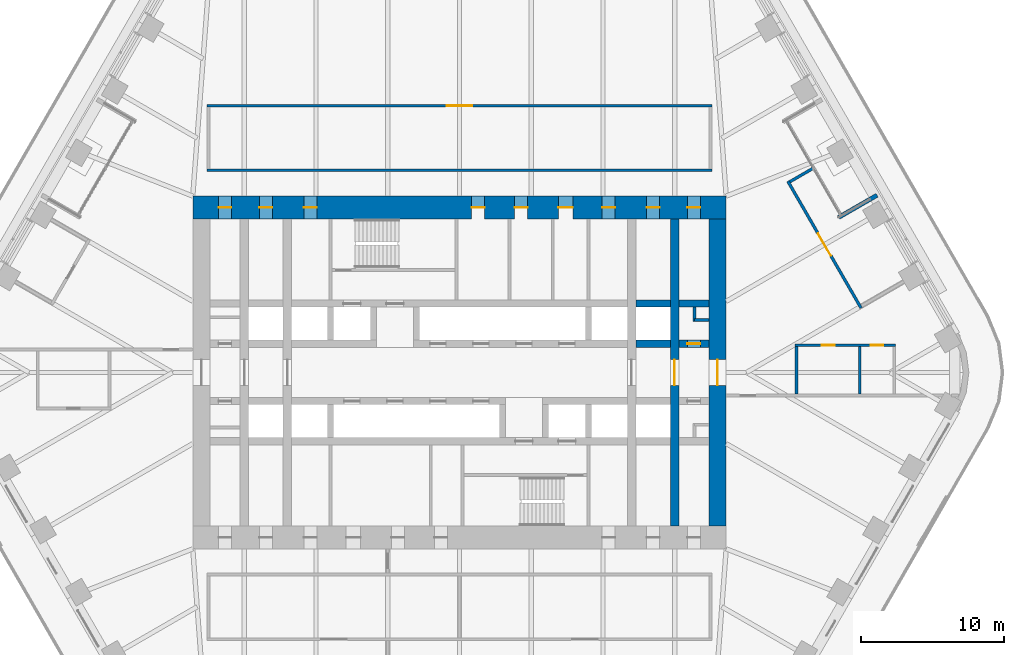
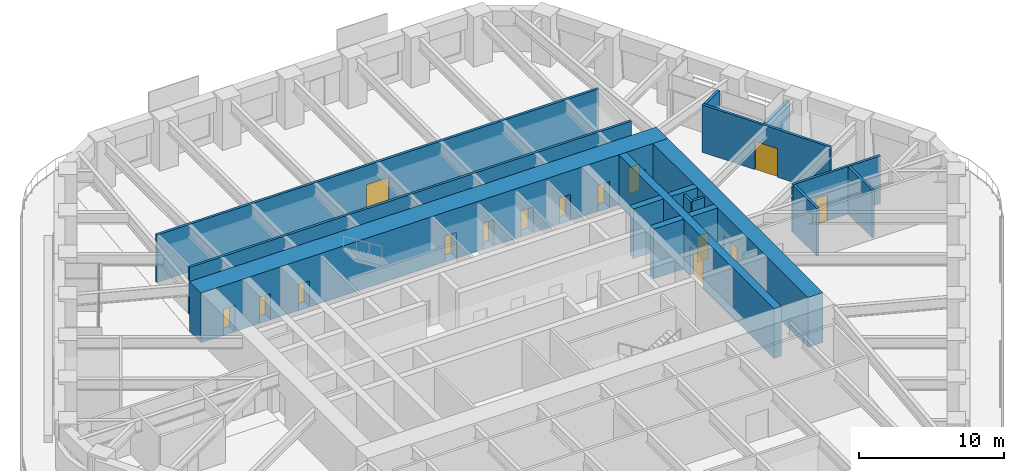
# One storey, part 20 of 24: 17 walls, 16 doors, 16 openings.
"""IFC4 building model written with IfcOpenShell, lengths in metres."""

from ifc_helpers import new_model, si_unit, direction, frame, frame_2d, origin, place, context, subcontext, project, spatial, rectangle, extrude, material, layer, layer_set, type_object, element, fill, save


model = new_model("IFC4")

# Units and contexts
model_context = context("Model", 3, precision=1e-05, world=origin(), true_north=direction((0.0, 1.0)))
body_context = subcontext(model_context, "Body", "Model", "MODEL_VIEW")
ifc_project = project(units=[si_unit("LENGTHUNIT", "METRE"), si_unit("AREAUNIT", "SQUARE_METRE"), si_unit("VOLUMEUNIT", "CUBIC_METRE"), si_unit("PLANEANGLEUNIT", "RADIAN"), si_unit("MASSUNIT", "GRAM", prefix="KILO")], contexts=[model_context])

# Site, building, storey
site_placement = place(None, origin())
site = spatial("IfcSite", under=ifc_project, at=site_placement, CompositionType="ELEMENT")
building_placement = place(site_placement, origin())
building = spatial("IfcBuilding", under=site, at=building_placement, Name="Tarfa Lantern Tower", CompositionType="ELEMENT")
storey_placement = place(building_placement, frame((0.0, 0.0, 182.5)))
storey = spatial("IfcBuildingStorey", under=building, at=storey_placement, Name="L41", CompositionType="ELEMENT", Elevation=182.5)

# Walls
ifc_material_1 = material(Name="Limestone cladding on blockwork", Category="masonry")
ifc_layer_1 = layer(ifc_material_1, 0.300048828125)
ifc_layer_set_1 = layer_set([ifc_layer_1], Name="EW1 STONE-CLAD WALL 300")
wall_type_1 = type_object("IfcWallType", Name="EW1 STONE-CLAD WALL 300", PredefinedType="SOLIDWALL", material=ifc_layer_set_1)
wall_1_placement = place(storey_placement, frame((29.1201171875, 12.362548828125, 0.0), z_axis=(0.0, 0.0, 1.0), x_axis=(-0.86602952684, -0.49999285859, 0.0)))
element("IfcWall", 1, at=wall_1_placement, inside=storey, type_object=wall_type_1, Name="Loggia return NE 1", PredefinedType="SOLIDWALL", context=body_context, shape_type="SweptSolid", body=[
    extrude(rectangle(XDim=3.10009765625, YDim=0.300048828125, at=frame_2d((1.550048828125, 0.0))), origin(), (0.0, 0.0, 1.0), 2.75),
])
ifc_material_2 = material(Name="Concrete blockwork", Category="masonry")
ifc_layer_2 = layer(ifc_material_2, 0.199951171875)
ifc_layer_set_2 = layer_set([ifc_layer_2], Name="IW1 BLOCKWORK PARTITION 200 EI 120")
wall_type_2 = type_object("IfcWallType", Name="IW1 BLOCKWORK PARTITION 200 EI 120", PredefinedType="PARTITIONING", material=ifc_layer_set_2)
for number, where, z_axis, x_axis, name in (
    (2, (16.39990234375, 3.64990234375, 0.0), (0.0, 0.0, 1.0), (1.0, 0.0, 0.0), "Core partition"),
    (3, (16.39990234375, 3.550048828125, 0.0), (0.0, 0.0, 1.0), (0.0, 1.0, 0.0), "Core partition"),
):
    element("IfcWall", number, at=place(storey_placement, frame(where, z_axis=z_axis, x_axis=x_axis)), inside=storey, type_object=wall_type_2, Name=name, PredefinedType="PARTITIONING", context=body_context, shape_type="SweptSolid", body=[
        extrude(rectangle(XDim=1.0, YDim=0.199951171875, at=frame_2d((0.5, 0.0))), origin(), (0.0, 0.0, 1.0), 4.0),
    ])
ifc_material_3 = material(Name="Gypsum board on steel studs", Category="steel")
ifc_layer_3 = layer(ifc_material_3, 0.2099609375)
ifc_layer_set_3 = layer_set([ifc_layer_3], Name="IW2 ACOUSTIC PARTITION 200")
wall_type_3 = type_object("IfcWallType", Name="IW2 ACOUSTIC PARTITION 200", PredefinedType="PARTITIONING", material=ifc_layer_set_3)
wall_2_placement = place(storey_placement, frame((-17.60009765625, 14.10009765625, 0.0), z_axis=(0.0, 0.0, 1.0), x_axis=(1.0, 0.0, 0.0)))
element("IfcWall", 4, at=wall_2_placement, inside=storey, type_object=wall_type_3, Name="Partition", PredefinedType="PARTITIONING", context=body_context, shape_type="SweptSolid", body=[
    extrude(rectangle(XDim=35.2001953125, YDim=0.199951171875, at=frame_2d((17.60009765625, 0.0))), origin(), (0.0, 0.0, 1.0), 4.0),
])

# Wall, opening, door
wall_3_placement = place(storey_placement, frame((-17.60009765625, 18.60009765625, 0.0), z_axis=(0.0, 0.0, 1.0), x_axis=(1.0, 0.0, 0.0)))
wall_3 = element("IfcWall", 5, at=wall_3_placement, inside=storey, type_object=wall_type_3, Name="Partition", PredefinedType="PARTITIONING", context=body_context, shape_type="SweptSolid", body=[
    extrude(rectangle(XDim=35.2001953125, YDim=0.199951171875, at=frame_2d((17.60009765625, 0.0))), origin(), (0.0, 0.0, 1.0), 4.0),
])
opening_1_placement = place(wall_3_placement, frame((16.699951171875, 0.0, 0.0)))
opening_1 = element("IfcOpeningElement", 6, at=opening_1_placement, cuts=wall_3, Name="Opening D36", PredefinedType="OPENING", context=body_context, shape_type="SweptSolid", body=[
    extrude(rectangle(XDim=1.800048828125, YDim=2.39990234375, at=frame_2d((0.89990234375, 1.199951171875))), frame((0.0, 0.10986328125, 0.0), z_axis=(0.0, -1.0, 0.0), x_axis=(1.0, 0.0, 0.0)), (0.0, 0.0, 1.0), 0.219970703125),
])
ifc_material_4 = material(Name="Timber door", Category="wood")
door_type_1 = type_object("IfcDoorType", Name="DR2 ROOM DOOR 1800x2400", OperationType="DOUBLE_DOOR_SINGLE_SWING", PredefinedType="DOOR", material=ifc_material_4)
door_1_placement = place(opening_1_placement, frame((1.800048828125, 0.0, 0.0), z_axis=(0.0, 0.0, 1.0), x_axis=(-1.0, 0.0, 0.0)))
door_1 = element("IfcDoor", 7, at=door_1_placement, inside=storey, type_object=door_type_1, Name="Meeting room door", OperationType="DOUBLE_DOOR_SINGLE_SWING", OverallHeight=2.39990234375, OverallWidth=1.800048828125, PredefinedType="DOOR", context=body_context, shape_type="SweptSolid", body=[
    extrude(rectangle(XDim=1.800048828125, YDim=2.39990234375, at=frame_2d((0.89990234375, 1.199951171875))), frame((0.0, 0.02490234375, 0.0), z_axis=(0.0, -1.0, 0.0), x_axis=(1.0, 0.0, 0.0)), (0.0, 0.0, 1.0), 0.050048828125),
])
fill(opening_1, door_1)

wall_4_placement = place(storey_placement, frame((28.00341796875, 4.496826171875, 0.0), z_axis=(0.0, 0.0, 1.0), x_axis=(-0.500005407604, 0.86602228168, 0.0)))
wall_4 = element("IfcWall", 8, at=wall_4_placement, inside=storey, type_object=wall_type_3, Name="Partition", PredefinedType="PARTITIONING", context=body_context, shape_type="SweptSolid", body=[
    extrude(rectangle(XDim=10.20751953125, YDim=0.199951171875, at=frame_2d((5.103759765625, 0.0))), origin(), (0.0, 0.0, 1.0), 4.0),
])
opening_2_placement = place(wall_4_placement, frame((4.20361328125, 0.0, 0.0)))
opening_2 = element("IfcOpeningElement", 9, at=opening_2_placement, cuts=wall_4, Name="Opening D33", PredefinedType="OPENING", context=body_context, shape_type="SweptSolid", body=[
    extrude(rectangle(XDim=1.800048828125, YDim=2.39990234375, at=frame_2d((0.89990234375, 1.199951171875))), frame((0.0, 0.10986328125, 0.0), z_axis=(0.0, -1.0, 0.0), x_axis=(1.0, 0.0, 0.0)), (0.0, 0.0, 1.0), 0.219970703125),
])
door_2_placement = place(opening_2_placement, frame((1.800048828125, 0.0, 0.0), z_axis=(0.0, 0.0, 1.0), x_axis=(-1.0, 0.0, 0.0)))
door_2 = element("IfcDoor", 10, at=door_2_placement, inside=storey, type_object=door_type_1, Name="Creative studio door", OperationType="DOUBLE_DOOR_SINGLE_SWING", OverallHeight=2.39990234375, OverallWidth=1.800048828125, PredefinedType="DOOR", context=body_context, shape_type="SweptSolid", body=[
    extrude(rectangle(XDim=1.800048828125, YDim=2.39990234375, at=frame_2d((0.89990234375, 1.199951171875))), frame((0.0, 0.02490234375, 0.0), z_axis=(0.0, -1.0, 0.0), x_axis=(1.0, 0.0, 0.0)), (0.0, 0.0, 1.0), 0.050048828125),
])
fill(opening_2, door_2)

# Wall
wall_5_placement = place(storey_placement, frame((23.036376953125, 13.300048828125, 0.0), z_axis=(0.0, 0.0, 1.0), x_axis=(0.866029456041, 0.49999298122, 0.0)))
element("IfcWall", 11, at=wall_5_placement, inside=storey, type_object=wall_type_3, Name="Partition", PredefinedType="PARTITIONING", context=body_context, shape_type="SweptSolid", body=[
    extrude(rectangle(XDim=1.90087890625, YDim=0.199951171875, at=frame_2d((0.950439453125, 0.0))), origin(), (0.0, 0.0, 1.0), 4.0),
])

# Wall, openings, doors
wall_6_placement = place(storey_placement, frame((23.41455078125, 1.89990234375, 0.0), z_axis=(0.0, 0.0, 1.0), x_axis=(1.0, 0.0, 0.0)))
wall_6 = element("IfcWall", 12, at=wall_6_placement, inside=storey, type_object=wall_type_3, Name="Partition", PredefinedType="PARTITIONING", context=body_context, shape_type="SweptSolid", body=[
    extrude(rectangle(XDim=7.0, YDim=0.199951171875, at=frame_2d((3.5, 0.0))), origin(), (0.0, 0.0, 1.0), 4.0),
])
opening_3_placement = place(wall_6_placement, frame((1.85009765625, 0.0, 0.0)))
opening_3 = element("IfcOpeningElement", 13, at=opening_3_placement, cuts=wall_6, Name="Opening D39", PredefinedType="OPENING", context=body_context, shape_type="SweptSolid", body=[
    extrude(rectangle(XDim=0.89990234375, YDim=2.199951171875, at=frame_2d((0.449951171875, 1.10009765625))), frame((0.0, 0.10986328125, 0.0), z_axis=(0.0, -1.0, 0.0), x_axis=(1.0, 0.0, 0.0)), (0.0, 0.0, 1.0), 0.219970703125),
])
opening_4_placement = place(wall_6_placement, frame((5.25, 0.0, 0.0)))
opening_4 = element("IfcOpeningElement", 14, at=opening_4_placement, cuts=wall_6, Name="Opening D40", PredefinedType="OPENING", context=body_context, shape_type="SweptSolid", body=[
    extrude(rectangle(XDim=0.89990234375, YDim=2.199951171875, at=frame_2d((0.449951171875, 1.10009765625))), frame((0.0, 0.10986328125, 0.0), z_axis=(0.0, -1.0, 0.0), x_axis=(1.0, 0.0, 0.0)), (0.0, 0.0, 1.0), 0.219970703125),
])
door_type_2 = type_object("IfcDoorType", Name="DR3 ROOM DOOR 900x2200", OperationType="SINGLE_SWING_LEFT", PredefinedType="DOOR", material=ifc_material_4)
door_3_placement = place(opening_3_placement, frame((0.89990234375, 0.0, 0.0), z_axis=(0.0, 0.0, 1.0), x_axis=(-1.0, 0.0, 0.0)))
door_3 = element("IfcDoor", 15, at=door_3_placement, inside=storey, type_object=door_type_2, Name="Project room door", OperationType="SINGLE_SWING_LEFT", OverallHeight=2.199951171875, OverallWidth=0.89990234375, PredefinedType="DOOR", context=body_context, shape_type="SweptSolid", body=[
    extrude(rectangle(XDim=0.89990234375, YDim=2.199951171875, at=frame_2d((0.449951171875, 1.10009765625))), frame((0.0, 0.02490234375, 0.0), z_axis=(0.0, -1.0, 0.0), x_axis=(1.0, 0.0, 0.0)), (0.0, 0.0, 1.0), 0.050048828125),
])
fill(opening_3, door_3)
door_4_placement = place(opening_4_placement, frame((0.89990234375, 0.0, 0.0), z_axis=(0.0, 0.0, 1.0), x_axis=(-1.0, 0.0, 0.0)))
door_4 = element("IfcDoor", 16, at=door_4_placement, inside=storey, type_object=door_type_2, Name="Print and copy room door", OperationType="SINGLE_SWING_RIGHT", OverallHeight=2.199951171875, OverallWidth=0.89990234375, PredefinedType="DOOR", context=body_context, shape_type="SweptSolid", body=[
    extrude(rectangle(XDim=0.89990234375, YDim=2.199951171875, at=frame_2d((0.449951171875, 1.10009765625))), frame((0.0, 0.02490234375, 0.0), z_axis=(0.0, -1.0, 0.0), x_axis=(1.0, 0.0, 0.0)), (0.0, 0.0, 1.0), 0.050048828125),
])
fill(opening_4, door_4)

# Walls
for number, where, z_axis, x_axis, name in (
    (17, (23.514404296875, -1.5, 0.0), (0.0, 0.0, 1.0), (0.0, 1.0, 0.0), "Partition"),
    (18, (27.91455078125, -1.5, 0.0), (0.0, 0.0, 1.0), (0.0, 1.0, 0.0), "Partition"),
):
    element("IfcWall", number, at=place(storey_placement, frame(where, z_axis=z_axis, x_axis=x_axis)), inside=storey, type_object=wall_type_3, Name=name, PredefinedType="PARTITIONING", context=body_context, shape_type="SweptSolid", body=[
        extrude(rectangle(XDim=3.300048828125, YDim=0.199951171875, at=frame_2d((1.64990234375, 0.0))), origin(), (0.0, 0.0, 1.0), 4.0),
    ])

# Wall, opening, door
ifc_material_5 = material(Name="Concrete C80/95", Category="concrete")
ifc_layer_4 = layer(ifc_material_5, 1.199951171875)
ifc_layer_set_4 = layer_set([ifc_layer_4], Name="SW1 CORE WALL 1200")
wall_type_4 = type_object("IfcWallType", Name="SW1 CORE WALL 1200", PredefinedType="SHEAR", material=ifc_layer_set_4)
wall_7_placement = place(storey_placement, frame((18.0, -10.699951171875, 0.0), z_axis=(0.0, 0.0, 1.0), x_axis=(0.0, 1.0, 0.0)))
wall_7 = element("IfcWall", 19, at=wall_7_placement, inside=storey, type_object=wall_type_4, Name="Core wall E", PredefinedType="SHEAR", context=body_context, shape_type="SweptSolid", body=[
    extrude(rectangle(XDim=21.39990234375, YDim=1.199951171875, at=frame_2d((10.699951171875, 0.0))), origin(), (0.0, 0.0, 1.0), 4.199951171875),
])
opening_5_placement = place(wall_7_placement, frame((9.800048828125, 0.0, 0.0)))
opening_5 = element("IfcOpeningElement", 20, at=opening_5_placement, cuts=wall_7, Name="Opening D15", PredefinedType="OPENING", context=body_context, shape_type="SweptSolid", body=[
    extrude(rectangle(XDim=1.800048828125, YDim=2.39990234375, at=frame_2d((0.89990234375, 1.199951171875))), frame((0.0, 0.60986328125, 0.0), z_axis=(0.0, -1.0, 0.0), x_axis=(1.0, 0.0, 0.0)), (0.0, 0.0, 1.0), 1.219970703125),
])
ifc_material_6 = material(Name="Steel fire door", Category="steel")
door_type_3 = type_object("IfcDoorType", Name="DL1 LOBBY DOOR 1800x2400", OperationType="DOUBLE_DOOR_SINGLE_SWING", PredefinedType="DOOR", material=ifc_material_6)
door_5_placement = place(opening_5_placement, frame((1.800048828125, 0.0, 0.0), z_axis=(0.0, 0.0, 1.0), x_axis=(-1.0, 0.0, 0.0)))
door_5 = element("IfcDoor", 21, at=door_5_placement, inside=storey, type_object=door_type_3, Name="Lift lobby door", OperationType="DOUBLE_DOOR_SINGLE_SWING", OverallHeight=2.39990234375, OverallWidth=1.800048828125, PredefinedType="DOOR", context=body_context, shape_type="SweptSolid", body=[
    extrude(rectangle(XDim=1.800048828125, YDim=2.39990234375, at=frame_2d((0.89990234375, 1.199951171875))), frame((0.0, 0.02490234375, 0.0), z_axis=(0.0, -1.0, 0.0), x_axis=(1.0, 0.0, 0.0)), (0.0, 0.0, 1.0), 0.050048828125),
])
fill(opening_5, door_5)

# Wall
ifc_layer_5 = layer(ifc_material_5, 0.5)
ifc_layer_set_5 = layer_set([ifc_layer_5], Name="SW5 CORE WALL 500")
wall_type_5 = type_object("IfcWallType", Name="SW5 CORE WALL 500", PredefinedType="SHEAR", material=ifc_layer_set_5)
wall_8_placement = place(storey_placement, frame((12.300048828125, 2.0, 0.0), z_axis=(0.0, 0.0, 1.0), x_axis=(1.0, 0.0, 0.0)))
element("IfcWall", 22, at=wall_8_placement, inside=storey, type_object=wall_type_5, Name="Core wall lobby east N", PredefinedType="SHEAR", context=body_context, shape_type="SweptSolid", body=[
    extrude(rectangle(XDim=2.39990234375, YDim=0.5, at=frame_2d((1.199951171875, 0.0))), origin(), (0.0, 0.0, 1.0), 4.199951171875),
])

# Wall, opening, door
wall_9_placement = place(storey_placement, frame((15.300048828125, 2.0, 0.0), z_axis=(0.0, 0.0, 1.0), x_axis=(1.0, 0.0, 0.0)))
wall_9 = element("IfcWall", 23, at=wall_9_placement, inside=storey, type_object=wall_type_5, Name="Core wall lobby east N", PredefinedType="SHEAR", context=body_context, shape_type="SweptSolid", body=[
    extrude(rectangle(XDim=2.099853515625, YDim=0.5, at=frame_2d((1.0498046875, 0.0))), origin(), (0.0, 0.0, 1.0), 4.199951171875),
])
opening_6_placement = place(wall_9_placement, frame((0.60009765625, 0.0, 0.0)))
opening_6 = element("IfcOpeningElement", 24, at=opening_6_placement, cuts=wall_9, Name="Opening D17", PredefinedType="OPENING", context=body_context, shape_type="SweptSolid", body=[
    extrude(rectangle(XDim=0.89990234375, YDim=2.199951171875, at=frame_2d((0.449951171875, 1.10009765625))), frame((0.0, 0.260009765625, 0.0), z_axis=(0.0, -1.0, 0.0), x_axis=(1.0, 0.0, 0.0)), (0.0, 0.0, 1.0), 0.52001953125),
])
door_type_4 = type_object("IfcDoorType", Name="DF6 SERVICE ROOM DOOR 900x2200", OperationType="SINGLE_SWING_LEFT", PredefinedType="DOOR", material=ifc_material_6)
door_6_placement = place(opening_6_placement, origin())
door_6 = element("IfcDoor", 25, at=door_6_placement, inside=storey, type_object=door_type_4, Name="Service room door", OperationType="SINGLE_SWING_LEFT", OverallHeight=2.199951171875, OverallWidth=0.89990234375, PredefinedType="DOOR", context=body_context, shape_type="SweptSolid", body=[
    extrude(rectangle(XDim=0.89990234375, YDim=2.199951171875, at=frame_2d((0.449951171875, 1.10009765625))), frame((0.0, 0.02490234375, 0.0), z_axis=(0.0, -1.0, 0.0), x_axis=(1.0, 0.0, 0.0)), (0.0, 0.0, 1.0), 0.050048828125),
])
fill(opening_6, door_6)

# Walls
wall_10_placement = place(storey_placement, frame((12.300048828125, 4.800048828125, 0.0), z_axis=(0.0, 0.0, 1.0), x_axis=(1.0, 0.0, 0.0)))
element("IfcWall", 26, at=wall_10_placement, inside=storey, type_object=wall_type_5, Name="Core wall rear N", PredefinedType="SHEAR", context=body_context, shape_type="SweptSolid", body=[
    extrude(rectangle(XDim=2.39990234375, YDim=0.5, at=frame_2d((1.199951171875, 0.0))), origin(), (0.0, 0.0, 1.0), 4.199951171875),
])
wall_11_placement = place(storey_placement, frame((15.300048828125, 4.800048828125, 0.0), z_axis=(0.0, 0.0, 1.0), x_axis=(1.0, 0.0, 0.0)))
element("IfcWall", 27, at=wall_11_placement, inside=storey, type_object=wall_type_5, Name="Core wall rear N", PredefinedType="SHEAR", context=body_context, shape_type="SweptSolid", body=[
    extrude(rectangle(XDim=2.099853515625, YDim=0.5, at=frame_2d((1.0498046875, 0.0))), origin(), (0.0, 0.0, 1.0), 4.199951171875),
])

# Wall, openings, doors
ifc_layer_6 = layer(ifc_material_5, 1.60009765625)
ifc_layer_set_6 = layer_set([ifc_layer_6], Name="SW7 CORE WALL 1600")
wall_type_6 = type_object("IfcWallType", Name="SW7 CORE WALL 1600", PredefinedType="SHEAR", material=ifc_layer_set_6)
wall_12_placement = place(storey_placement, frame((-18.60009765625, 11.5, 0.0), z_axis=(0.0, 0.0, 1.0), x_axis=(1.0, 0.0, 0.0)))
wall_12 = element("IfcWall", 28, at=wall_12_placement, inside=storey, type_object=wall_type_6, Name="Core wall N", PredefinedType="SHEAR", context=body_context, shape_type="SweptSolid", body=[
    extrude(rectangle(XDim=37.2001953125, YDim=1.60009765625, at=frame_2d((18.60009765625, 0.0))), origin(), (0.0, 0.0, 1.0), 4.199951171875),
])
opening_7_placement = place(wall_12_placement, frame((19.449951171875, 0.0, 0.0)))
opening_7 = element("IfcOpeningElement", 29, at=opening_7_placement, cuts=wall_12, Name="Opening D21", PredefinedType="OPENING", context=body_context, shape_type="SweptSolid", body=[
    extrude(rectangle(XDim=0.89990234375, YDim=2.199951171875, at=frame_2d((0.449951171875, 1.10009765625))), frame((0.0, 0.81005859375, 0.0), z_axis=(0.0, -1.0, 0.0), x_axis=(1.0, 0.0, 0.0)), (0.0, 0.0, 1.0), 1.6201171875),
])
opening_8_placement = place(wall_12_placement, frame((22.449951171875, 0.0, 0.0)))
opening_8 = element("IfcOpeningElement", 30, at=opening_8_placement, cuts=wall_12, Name="Opening D23", PredefinedType="OPENING", context=body_context, shape_type="SweptSolid", body=[
    extrude(rectangle(XDim=0.89990234375, YDim=2.199951171875, at=frame_2d((0.449951171875, 1.10009765625))), frame((0.0, 0.81005859375, 0.0), z_axis=(0.0, -1.0, 0.0), x_axis=(1.0, 0.0, 0.0)), (0.0, 0.0, 1.0), 1.6201171875),
])
opening_9_placement = place(wall_12_placement, frame((25.5, 0.0, 0.0)))
opening_9 = element("IfcOpeningElement", 31, at=opening_9_placement, cuts=wall_12, Name="Opening D25", PredefinedType="OPENING", context=body_context, shape_type="SweptSolid", body=[
    extrude(rectangle(XDim=1.0, YDim=2.199951171875, at=frame_2d((0.5, 1.10009765625))), frame((0.0, 0.81005859375, 0.0), z_axis=(0.0, -1.0, 0.0), x_axis=(1.0, 0.0, 0.0)), (0.0, 0.0, 1.0), 1.6201171875),
])
opening_10_placement = place(wall_12_placement, frame((1.800048828125, 0.0, 0.0)))
opening_10 = element("IfcOpeningElement", 32, at=opening_10_placement, cuts=wall_12, Name="Opening D11", PredefinedType="OPENING", context=body_context, shape_type="SweptSolid", body=[
    extrude(rectangle(XDim=0.89990234375, YDim=2.199951171875, at=frame_2d((0.449951171875, 1.10009765625))), frame((0.0, 0.81005859375, 0.0), z_axis=(0.0, -1.0, 0.0), x_axis=(1.0, 0.0, 0.0)), (0.0, 0.0, 1.0), 1.6201171875),
])
opening_11_placement = place(wall_12_placement, frame((4.64990234375, 0.0, 0.0)))
opening_11 = element("IfcOpeningElement", 33, at=opening_11_placement, cuts=wall_12, Name="Opening D07", PredefinedType="OPENING", context=body_context, shape_type="SweptSolid", body=[
    extrude(rectangle(XDim=0.89990234375, YDim=2.199951171875, at=frame_2d((0.449951171875, 1.10009765625))), frame((0.0, 0.81005859375, 0.0), z_axis=(0.0, -1.0, 0.0), x_axis=(1.0, 0.0, 0.0)), (0.0, 0.0, 1.0), 1.6201171875),
])
opening_12_placement = place(wall_12_placement, frame((7.75, 0.0, 0.0)))
opening_12 = element("IfcOpeningElement", 34, at=opening_12_placement, cuts=wall_12, Name="Opening D09", PredefinedType="OPENING", context=body_context, shape_type="SweptSolid", body=[
    extrude(rectangle(XDim=0.89990234375, YDim=2.199951171875, at=frame_2d((0.449951171875, 1.10009765625))), frame((0.0, 0.81005859375, 0.0), z_axis=(0.0, -1.0, 0.0), x_axis=(1.0, 0.0, 0.0)), (0.0, 0.0, 1.0), 1.6201171875),
])
opening_13_placement = place(wall_12_placement, frame((28.550048828125, 0.0, 0.0)))
opening_13 = element("IfcOpeningElement", 35, at=opening_13_placement, cuts=wall_12, Name="Opening D05", PredefinedType="OPENING", context=body_context, shape_type="SweptSolid", body=[
    extrude(rectangle(XDim=0.89990234375, YDim=2.199951171875, at=frame_2d((0.449951171875, 1.10009765625))), frame((0.0, 0.81005859375, 0.0), z_axis=(0.0, -1.0, 0.0), x_axis=(1.0, 0.0, 0.0)), (0.0, 0.0, 1.0), 1.6201171875),
])
opening_14_placement = place(wall_12_placement, frame((31.64990234375, 0.0, 0.0)))
opening_14 = element("IfcOpeningElement", 36, at=opening_14_placement, cuts=wall_12, Name="Opening D01", PredefinedType="OPENING", context=body_context, shape_type="SweptSolid", body=[
    extrude(rectangle(XDim=0.89990234375, YDim=2.199951171875, at=frame_2d((0.449951171875, 1.10009765625))), frame((0.0, 0.81005859375, 0.0), z_axis=(0.0, -1.0, 0.0), x_axis=(1.0, 0.0, 0.0)), (0.0, 0.0, 1.0), 1.6201171875),
])
opening_15_placement = place(wall_12_placement, frame((34.5, 0.0, 0.0)))
opening_15 = element("IfcOpeningElement", 37, at=opening_15_placement, cuts=wall_12, Name="Opening D03", PredefinedType="OPENING", context=body_context, shape_type="SweptSolid", body=[
    extrude(rectangle(XDim=0.89990234375, YDim=2.199951171875, at=frame_2d((0.449951171875, 1.10009765625))), frame((0.0, 0.81005859375, 0.0), z_axis=(0.0, -1.0, 0.0), x_axis=(1.0, 0.0, 0.0)), (0.0, 0.0, 1.0), 1.6201171875),
])
door_type_5 = type_object("IfcDoorType", Name="DF3 CORE ROOM DOOR 900x2200", OperationType="SINGLE_SWING_LEFT", PredefinedType="DOOR", material=ifc_material_6)
door_7_placement = place(opening_7_placement, frame((0.89990234375, 0.0, 0.0), z_axis=(0.0, 0.0, 1.0), x_axis=(-1.0, 0.0, 0.0)))
door_7 = element("IfcDoor", 38, at=door_7_placement, inside=storey, type_object=door_type_5, Name="Core door", OperationType="SINGLE_SWING_LEFT", OverallHeight=2.199951171875, OverallWidth=0.89990234375, PredefinedType="DOOR", context=body_context, shape_type="SweptSolid", body=[
    extrude(rectangle(XDim=0.89990234375, YDim=2.199951171875, at=frame_2d((0.449951171875, 1.10009765625))), frame((0.0, 0.02490234375, 0.0), z_axis=(0.0, -1.0, 0.0), x_axis=(1.0, 0.0, 0.0)), (0.0, 0.0, 1.0), 0.050048828125),
])
fill(opening_7, door_7)
door_8_placement = place(opening_8_placement, frame((0.89990234375, 0.0, 0.0), z_axis=(0.0, 0.0, 1.0), x_axis=(-1.0, 0.0, 0.0)))
door_8 = element("IfcDoor", 39, at=door_8_placement, inside=storey, type_object=door_type_5, Name="Core door", OperationType="SINGLE_SWING_LEFT", OverallHeight=2.199951171875, OverallWidth=0.89990234375, PredefinedType="DOOR", context=body_context, shape_type="SweptSolid", body=[
    extrude(rectangle(XDim=0.89990234375, YDim=2.199951171875, at=frame_2d((0.449951171875, 1.10009765625))), frame((0.0, 0.02490234375, 0.0), z_axis=(0.0, -1.0, 0.0), x_axis=(1.0, 0.0, 0.0)), (0.0, 0.0, 1.0), 0.050048828125),
])
fill(opening_8, door_8)
door_type_6 = type_object("IfcDoorType", Name="DF4 CORE ROOM DOOR 1000x2200", OperationType="SINGLE_SWING_LEFT", PredefinedType="DOOR", material=ifc_material_6)
door_9_placement = place(opening_9_placement, frame((1.0, 0.0, 0.0), z_axis=(0.0, 0.0, 1.0), x_axis=(-1.0, 0.0, 0.0)))
door_9 = element("IfcDoor", 40, at=door_9_placement, inside=storey, type_object=door_type_6, Name="Core door", OperationType="SINGLE_SWING_LEFT", OverallHeight=2.199951171875, OverallWidth=1.0, PredefinedType="DOOR", context=body_context, shape_type="SweptSolid", body=[
    extrude(rectangle(XDim=1.0, YDim=2.199951171875, at=frame_2d((0.5, 1.10009765625))), frame((0.0, 0.02490234375, 0.0), z_axis=(0.0, -1.0, 0.0), x_axis=(1.0, 0.0, 0.0)), (0.0, 0.0, 1.0), 0.050048828125),
])
fill(opening_9, door_9)
door_type_7 = type_object("IfcDoorType", Name="DF5 RISER DOOR 900x2200", OperationType="SINGLE_SWING_LEFT", PredefinedType="DOOR", material=ifc_material_6)
door_10_placement = place(opening_10_placement, frame((0.89990234375, 0.0, 0.0), z_axis=(0.0, 0.0, 1.0), x_axis=(-1.0, 0.0, 0.0)))
door_10 = element("IfcDoor", 41, at=door_10_placement, inside=storey, type_object=door_type_7, Name="Riser door", OperationType="SINGLE_SWING_LEFT", OverallHeight=2.199951171875, OverallWidth=0.89990234375, PredefinedType="DOOR", context=body_context, shape_type="SweptSolid", body=[
    extrude(rectangle(XDim=0.89990234375, YDim=2.199951171875, at=frame_2d((0.449951171875, 1.10009765625))), frame((0.0, 0.02490234375, 0.0), z_axis=(0.0, -1.0, 0.0), x_axis=(1.0, 0.0, 0.0)), (0.0, 0.0, 1.0), 0.050048828125),
])
fill(opening_10, door_10)
door_11_placement = place(opening_11_placement, frame((0.89990234375, 0.0, 0.0), z_axis=(0.0, 0.0, 1.0), x_axis=(-1.0, 0.0, 0.0)))
door_11 = element("IfcDoor", 42, at=door_11_placement, inside=storey, type_object=door_type_7, Name="Riser door", OperationType="SINGLE_SWING_LEFT", OverallHeight=2.199951171875, OverallWidth=0.89990234375, PredefinedType="DOOR", context=body_context, shape_type="SweptSolid", body=[
    extrude(rectangle(XDim=0.89990234375, YDim=2.199951171875, at=frame_2d((0.449951171875, 1.10009765625))), frame((0.0, 0.02490234375, 0.0), z_axis=(0.0, -1.0, 0.0), x_axis=(1.0, 0.0, 0.0)), (0.0, 0.0, 1.0), 0.050048828125),
])
fill(opening_11, door_11)
door_12_placement = place(opening_12_placement, frame((0.89990234375, 0.0, 0.0), z_axis=(0.0, 0.0, 1.0), x_axis=(-1.0, 0.0, 0.0)))
door_12 = element("IfcDoor", 43, at=door_12_placement, inside=storey, type_object=door_type_7, Name="Riser door", OperationType="SINGLE_SWING_LEFT", OverallHeight=2.199951171875, OverallWidth=0.89990234375, PredefinedType="DOOR", context=body_context, shape_type="SweptSolid", body=[
    extrude(rectangle(XDim=0.89990234375, YDim=2.199951171875, at=frame_2d((0.449951171875, 1.10009765625))), frame((0.0, 0.02490234375, 0.0), z_axis=(0.0, -1.0, 0.0), x_axis=(1.0, 0.0, 0.0)), (0.0, 0.0, 1.0), 0.050048828125),
])
fill(opening_12, door_12)
door_13_placement = place(opening_13_placement, frame((0.89990234375, 0.0, 0.0), z_axis=(0.0, 0.0, 1.0), x_axis=(-1.0, 0.0, 0.0)))
door_13 = element("IfcDoor", 44, at=door_13_placement, inside=storey, type_object=door_type_7, Name="Riser door", OperationType="SINGLE_SWING_RIGHT", OverallHeight=2.199951171875, OverallWidth=0.89990234375, PredefinedType="DOOR", context=body_context, shape_type="SweptSolid", body=[
    extrude(rectangle(XDim=0.89990234375, YDim=2.199951171875, at=frame_2d((0.449951171875, 1.10009765625))), frame((0.0, 0.02490234375, 0.0), z_axis=(0.0, -1.0, 0.0), x_axis=(1.0, 0.0, 0.0)), (0.0, 0.0, 1.0), 0.050048828125),
])
fill(opening_13, door_13)
door_14_placement = place(opening_14_placement, frame((0.89990234375, 0.0, 0.0), z_axis=(0.0, 0.0, 1.0), x_axis=(-1.0, 0.0, 0.0)))
door_14 = element("IfcDoor", 45, at=door_14_placement, inside=storey, type_object=door_type_7, Name="Riser door", OperationType="SINGLE_SWING_RIGHT", OverallHeight=2.199951171875, OverallWidth=0.89990234375, PredefinedType="DOOR", context=body_context, shape_type="SweptSolid", body=[
    extrude(rectangle(XDim=0.89990234375, YDim=2.199951171875, at=frame_2d((0.449951171875, 1.10009765625))), frame((0.0, 0.02490234375, 0.0), z_axis=(0.0, -1.0, 0.0), x_axis=(1.0, 0.0, 0.0)), (0.0, 0.0, 1.0), 0.050048828125),
])
fill(opening_14, door_14)
door_15_placement = place(opening_15_placement, frame((0.89990234375, 0.0, 0.0), z_axis=(0.0, 0.0, 1.0), x_axis=(-1.0, 0.0, 0.0)))
door_15 = element("IfcDoor", 46, at=door_15_placement, inside=storey, type_object=door_type_7, Name="Riser door", OperationType="SINGLE_SWING_RIGHT", OverallHeight=2.199951171875, OverallWidth=0.89990234375, PredefinedType="DOOR", context=body_context, shape_type="SweptSolid", body=[
    extrude(rectangle(XDim=0.89990234375, YDim=2.199951171875, at=frame_2d((0.449951171875, 1.10009765625))), frame((0.0, 0.02490234375, 0.0), z_axis=(0.0, -1.0, 0.0), x_axis=(1.0, 0.0, 0.0)), (0.0, 0.0, 1.0), 0.050048828125),
])
fill(opening_15, door_15)

# Wall, opening, door
ifc_layer_7 = layer(ifc_material_5, 0.60009765625)
ifc_layer_set_7 = layer_set([ifc_layer_7], Name="SW9 CORE WALL 600")
wall_type_7 = type_object("IfcWallType", Name="SW9 CORE WALL 600", PredefinedType="SHEAR", material=ifc_layer_set_7)
wall_13_placement = place(storey_placement, frame((15.0, -10.699951171875, 0.0), z_axis=(0.0, 0.0, 1.0), x_axis=(0.0, 1.0, 0.0)))
wall_13 = element("IfcWall", 47, at=wall_13_placement, inside=storey, type_object=wall_type_7, Name="Core wall cross 15 m east", PredefinedType="SHEAR", context=body_context, shape_type="SweptSolid", body=[
    extrude(rectangle(XDim=21.39990234375, YDim=0.60009765625, at=frame_2d((10.699951171875, 0.0))), origin(), (0.0, 0.0, 1.0), 4.199951171875),
])
opening_16_placement = place(wall_13_placement, frame((9.800048828125, 0.0, 0.0)))
opening_16 = element("IfcOpeningElement", 48, at=opening_16_placement, cuts=wall_13, Name="Opening D30", PredefinedType="OPENING", context=body_context, shape_type="SweptSolid", body=[
    extrude(rectangle(XDim=1.800048828125, YDim=2.39990234375, at=frame_2d((0.89990234375, 1.199951171875))), frame((0.0, 0.31005859375, 0.0), z_axis=(0.0, -1.0, 0.0), x_axis=(1.0, 0.0, 0.0)), (0.0, 0.0, 1.0), 0.6201171875),
])
door_16_placement = place(opening_16_placement, origin())
door_16 = element("IfcDoor", 49, at=door_16_placement, inside=storey, type_object=door_type_3, Name="Lift lobby door", OperationType="DOUBLE_DOOR_SINGLE_SWING", OverallHeight=2.39990234375, OverallWidth=1.800048828125, PredefinedType="DOOR", context=body_context, shape_type="SweptSolid", body=[
    extrude(rectangle(XDim=1.800048828125, YDim=2.39990234375, at=frame_2d((0.89990234375, 1.199951171875))), frame((0.0, 0.02490234375, 0.0), z_axis=(0.0, -1.0, 0.0), x_axis=(1.0, 0.0, 0.0)), (0.0, 0.0, 1.0), 0.050048828125),
])
fill(opening_16, door_16)

save(model, "model.ifc")
